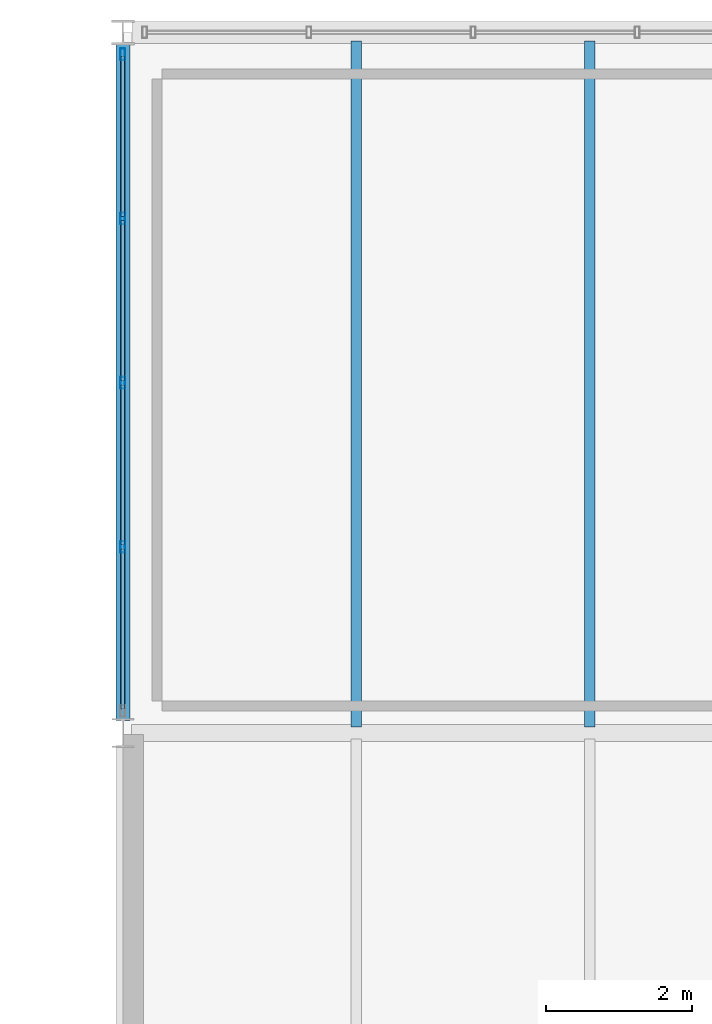
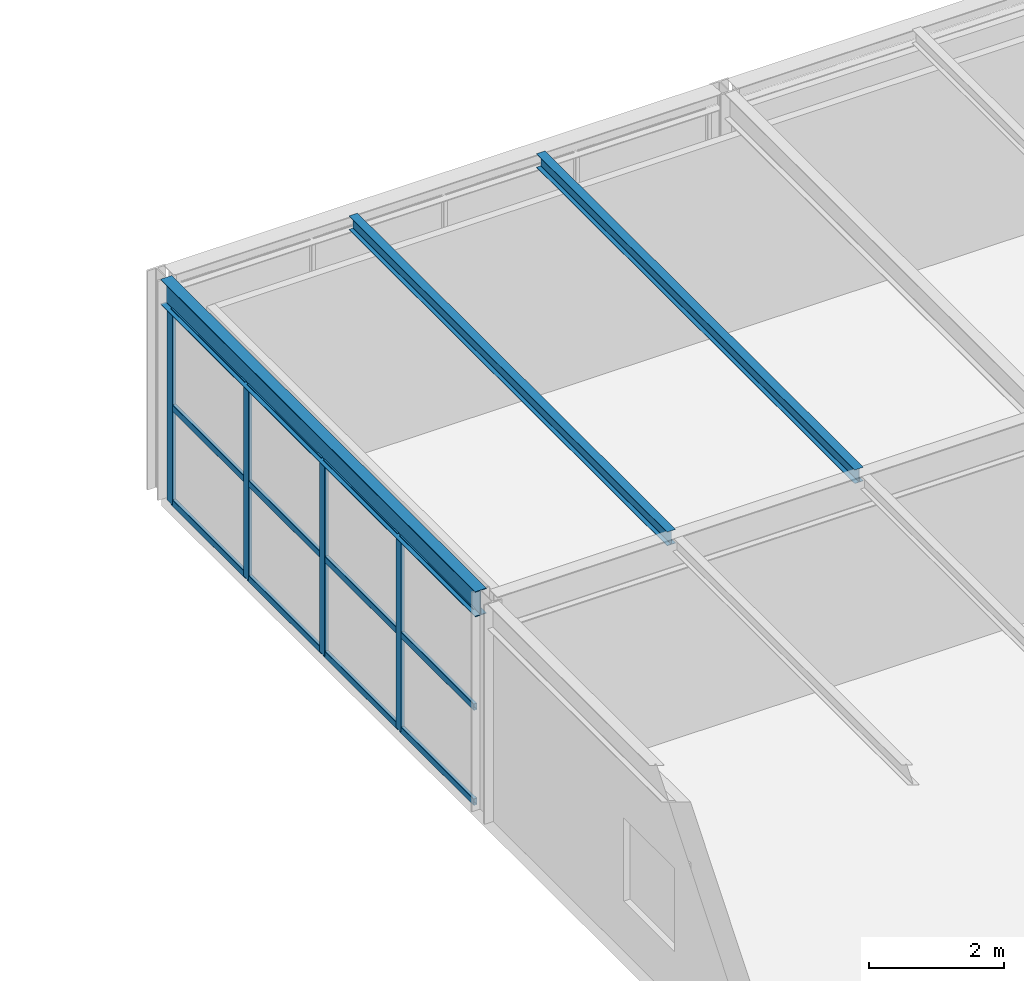
# One storey, part 72 of 126: 16 members, 3 beams, 1 element without a shape of its own.
"""IFC4 building model written with IfcOpenShell, lengths in metres."""

from ifc_helpers import new_model, si_unit, direction, frame, origin, origin_2d, place, context, subcontext, project, spatial, hollow_rectangle, i_section, extrude, material, material_profile, profile_set, type_object, element, aggregate, save


model = new_model("IFC4")

# Units and contexts
model_context = context("Model", 3, precision=1e-05, world=origin(), true_north=direction((0.0, 1.0)))
body_context = subcontext(model_context, "Body", "Model", "MODEL_VIEW")
ifc_project = project(units=[si_unit("LENGTHUNIT", "METRE"), si_unit("AREAUNIT", "SQUARE_METRE"), si_unit("VOLUMEUNIT", "CUBIC_METRE"), si_unit("PLANEANGLEUNIT", "RADIAN"), si_unit("MASSUNIT", "GRAM", prefix="KILO")], contexts=[model_context])

# Site, building, storey
site_placement = place(None, origin())
site = spatial("IfcSite", under=ifc_project, at=site_placement, CompositionType="ELEMENT")
building_placement = place(site_placement, origin())
building = spatial("IfcBuilding", under=site, at=building_placement, Name="Coralgate Yard Interchange", CompositionType="ELEMENT")
storey_placement = place(building_placement, frame((0.0, 0.0, 10.5)))
storey = spatial("IfcBuildingStorey", under=building, at=storey_placement, Name="L02", CompositionType="ELEMENT", Elevation=10.5)

# Beams
ifc_material_1 = material(Name="Structural steel S355J2", Category="steel")
ifc_material_profile_1 = material_profile(ifc_material_1, i_section(OverallWidth=0.1904296875, OverallDepth=0.45703125, WebThickness=0.009033203125, FlangeThickness=0.014404296875, FilletRadius=0.01025390625, at=origin_2d()), Name="UB 457x191x74")
ifc_profile_set_1 = profile_set([ifc_material_profile_1], Name="Structural steel S355J2")
beam_type_1 = type_object("IfcBeamType", Name="BM-SB-2", PredefinedType="BEAM", material=ifc_profile_set_1)
beam_placement = place(storey_placement, frame((38.39990234375, 86.570068359375, 3.721435546875), z_axis=(0.0, 1.0, 0.0), x_axis=(-1.0, 0.0, 0.0)))
element("IfcBeam", 1, at=beam_placement, inside=storey, type_object=beam_type_1, Name="L02 primary grid girder X4 Y9-10", PredefinedType="BEAM", context=body_context, shape_type="SweptSolid", body=[
    extrude(i_section(OverallWidth=0.1904296875, OverallDepth=0.45703125, WebThickness=0.009033203125, FlangeThickness=0.014404296875, FilletRadius=0.01025390625, at=origin_2d()), origin(), (0.0, 0.0, 1.0), 9.2900390625),
])
ifc_material_profile_2 = material_profile(ifc_material_1, i_section(OverallWidth=0.14599609375, OverallDepth=0.25146484375, WebThickness=0.006103515625, FlangeThickness=0.008544921875, FilletRadius=0.007568359375, at=origin_2d()), Name="UB 254x146x31")
ifc_profile_set_2 = profile_set([ifc_material_profile_2], Name="Structural steel S355J2")
beam_type_2 = type_object("IfcBeamType", Name="BM-SJ-2", PredefinedType="JOIST", material=ifc_profile_set_2)
for number, where, z_axis, x_axis, name in (
    (2, (41.60009765625, 86.484130859375, 3.82421875), (0.0, 1.0, 0.0), (-1.0, 0.0, 0.0), "L02 composite floor joist 4-9-1"),
    (3, (44.800048828125, 86.484130859375, 3.82421875), (0.0, 1.0, 0.0), (-1.0, 0.0, 0.0), "L02 composite floor joist 4-9-2"),
):
    element("IfcBeam", number, at=place(storey_placement, frame(where, z_axis=z_axis, x_axis=x_axis)), inside=storey, type_object=beam_type_2, Name=name, PredefinedType="JOIST", context=body_context, shape_type="SweptSolid", body=[
        extrude(i_section(OverallWidth=0.14599609375, OverallDepth=0.25146484375, WebThickness=0.006103515625, FlangeThickness=0.008544921875, FilletRadius=0.007568359375, at=origin_2d()), origin(), (0.0, 0.0, 1.0), 9.395751953125),
    ])

# Curtain wall, members
ifc_material_2 = material(Name="Anodised coastal aluminium and solar-control low-E glass", Category="aluminium")
curtain_wall_type = type_object("IfcCurtainWallType", Name="CW-CW-L02-A", PredefinedType="NOTDEFINED", material=ifc_material_2)
curtain_wall_placement = place(storey_placement, origin())
curtain_wall = element("IfcCurtainWall", 4, at=curtain_wall_placement, inside=storey, type_object=curtain_wall_type, Name="L02 unitised curtain wall CW-L02-W-04-09", PredefinedType="NOTDEFINED")
ifc_material_3 = material(Name="Anodised coastal aluminium 6063-T6", Category="aluminium")
ifc_material_profile_3 = material_profile(ifc_material_3, hollow_rectangle(XDim=0.06494140625, YDim=0.159912109375, WallThickness=0.00390625, InnerFilletRadius=0.00390625, OuterFilletRadius=0.008056640625, at=origin_2d()), Name="ALU 65x160x4")
ifc_profile_set_3 = profile_set([ifc_material_profile_3], Name="Anodised coastal aluminium 6063-T6")
member_type_1 = type_object("IfcMemberType", Name="MB-MUL-160", PredefinedType="MULLION", material=ifc_profile_set_3)
member_1_placement = place(storey_placement, frame((38.39990234375, 88.949951171875, 0.0), z_axis=(0.0, 0.0, 1.0), x_axis=(1.0, 0.0, 0.0)))
member_1 = element("IfcMember", 5, at=member_1_placement, type_object=member_type_1, Name="CW-L02-W-04-09 vertical mullion 2", PredefinedType="MULLION", context=body_context, shape_type="SweptSolid", body=[
    extrude(hollow_rectangle(XDim=0.06494140625, YDim=0.159912109375, WallThickness=0.00390625, InnerFilletRadius=0.00390625, OuterFilletRadius=0.008056640625, at=origin_2d()), origin(), (0.0, 0.0, 1.0), 3.492919921875),
])
member_2_placement = place(storey_placement, frame((38.39990234375, 91.199951171875, 0.0), z_axis=(0.0, 0.0, 1.0), x_axis=(1.0, 0.0, 0.0)))
member_2 = element("IfcMember", 6, at=member_2_placement, type_object=member_type_1, Name="CW-L02-W-04-09 vertical mullion 3", PredefinedType="MULLION", context=body_context, shape_type="SweptSolid", body=[
    extrude(hollow_rectangle(XDim=0.06494140625, YDim=0.159912109375, WallThickness=0.00390625, InnerFilletRadius=0.00390625, OuterFilletRadius=0.008056640625, at=origin_2d()), origin(), (0.0, 0.0, 1.0), 3.492919921875),
])
member_3_placement = place(storey_placement, frame((38.39990234375, 93.449951171875, 0.0), z_axis=(0.0, 0.0, 1.0), x_axis=(1.0, 0.0, 0.0)))
member_3 = element("IfcMember", 7, at=member_3_placement, type_object=member_type_1, Name="CW-L02-W-04-09 vertical mullion 4", PredefinedType="MULLION", context=body_context, shape_type="SweptSolid", body=[
    extrude(hollow_rectangle(XDim=0.06494140625, YDim=0.159912109375, WallThickness=0.00390625, InnerFilletRadius=0.00390625, OuterFilletRadius=0.008056640625, at=origin_2d()), origin(), (0.0, 0.0, 1.0), 3.492919921875),
])
member_4_placement = place(storey_placement, frame((38.39990234375, 95.699951171875, 0.0), z_axis=(0.0, 0.0, 1.0), x_axis=(1.0, 0.0, 0.0)))
member_4 = element("IfcMember", 8, at=member_4_placement, type_object=member_type_1, Name="CW-L02-W-04-09 vertical mullion 5", PredefinedType="MULLION", context=body_context, shape_type="SweptSolid", body=[
    extrude(hollow_rectangle(XDim=0.06494140625, YDim=0.159912109375, WallThickness=0.00390625, InnerFilletRadius=0.00390625, OuterFilletRadius=0.008056640625, at=origin_2d()), origin(), (0.0, 0.0, 1.0), 3.492919921875),
])
ifc_material_profile_4 = material_profile(ifc_material_3, hollow_rectangle(XDim=0.06005859375, YDim=0.1201171875, WallThickness=0.00341796875, InnerFilletRadius=0.00341796875, OuterFilletRadius=0.007080078125, at=origin_2d()), Name="ALU 60x120x3.5")
ifc_profile_set_4 = profile_set([ifc_material_profile_4], Name="Anodised coastal aluminium 6063-T6")
member_type_2 = type_object("IfcMemberType", Name="MB-TRN-120", PredefinedType="USERDEFINED", material=ifc_profile_set_4)
member_5_placement = place(storey_placement, frame((38.39990234375, 86.72998046875, 0.034912109375), z_axis=(0.0, 1.0, 0.0), x_axis=(-1.0, 0.0, 0.0)))
member_5 = element("IfcMember", 9, at=member_5_placement, type_object=member_type_2, Name="CW-L02-W-04-09 horizontal transom 1-1", ObjectType="TRANSOM", PredefinedType="USERDEFINED", context=body_context, shape_type="SweptSolid", body=[
    extrude(hollow_rectangle(XDim=0.06005859375, YDim=0.1201171875, WallThickness=0.00341796875, InnerFilletRadius=0.00341796875, OuterFilletRadius=0.007080078125, at=origin_2d()), origin(), (0.0, 0.0, 1.0), 2.18994140625),
])
member_6_placement = place(storey_placement, frame((38.39990234375, 86.72998046875, 1.74658203125), z_axis=(0.0, 1.0, 0.0), x_axis=(-1.0, 0.0, 0.0)))
member_6 = element("IfcMember", 10, at=member_6_placement, type_object=member_type_2, Name="CW-L02-W-04-09 horizontal transom 1-2", ObjectType="TRANSOM", PredefinedType="USERDEFINED", context=body_context, shape_type="SweptSolid", body=[
    extrude(hollow_rectangle(XDim=0.06005859375, YDim=0.1201171875, WallThickness=0.00341796875, InnerFilletRadius=0.00341796875, OuterFilletRadius=0.007080078125, at=origin_2d()), origin(), (0.0, 0.0, 1.0), 2.18994140625),
])
member_7_placement = place(storey_placement, frame((38.39990234375, 86.72998046875, 3.4580078125), z_axis=(0.0, 1.0, 0.0), x_axis=(-1.0, 0.0, 0.0)))
member_7 = element("IfcMember", 11, at=member_7_placement, type_object=member_type_2, Name="CW-L02-W-04-09 horizontal transom 1-3", ObjectType="TRANSOM", PredefinedType="USERDEFINED", context=body_context, shape_type="SweptSolid", body=[
    extrude(hollow_rectangle(XDim=0.06005859375, YDim=0.1201171875, WallThickness=0.00341796875, InnerFilletRadius=0.00341796875, OuterFilletRadius=0.007080078125, at=origin_2d()), origin(), (0.0, 0.0, 1.0), 2.18994140625),
])
member_8_placement = place(storey_placement, frame((38.39990234375, 88.97998046875, 0.034912109375), z_axis=(0.0, 1.0, 0.0), x_axis=(-1.0, 0.0, 0.0)))
member_8 = element("IfcMember", 12, at=member_8_placement, type_object=member_type_2, Name="CW-L02-W-04-09 horizontal transom 2-1", ObjectType="TRANSOM", PredefinedType="USERDEFINED", context=body_context, shape_type="SweptSolid", body=[
    extrude(hollow_rectangle(XDim=0.06005859375, YDim=0.1201171875, WallThickness=0.00341796875, InnerFilletRadius=0.00341796875, OuterFilletRadius=0.007080078125, at=origin_2d()), origin(), (0.0, 0.0, 1.0), 2.18994140625),
])
member_9_placement = place(storey_placement, frame((38.39990234375, 88.97998046875, 1.74658203125), z_axis=(0.0, 1.0, 0.0), x_axis=(-1.0, 0.0, 0.0)))
member_9 = element("IfcMember", 13, at=member_9_placement, type_object=member_type_2, Name="CW-L02-W-04-09 horizontal transom 2-2", ObjectType="TRANSOM", PredefinedType="USERDEFINED", context=body_context, shape_type="SweptSolid", body=[
    extrude(hollow_rectangle(XDim=0.06005859375, YDim=0.1201171875, WallThickness=0.00341796875, InnerFilletRadius=0.00341796875, OuterFilletRadius=0.007080078125, at=origin_2d()), origin(), (0.0, 0.0, 1.0), 2.18994140625),
])
member_10_placement = place(storey_placement, frame((38.39990234375, 88.97998046875, 3.4580078125), z_axis=(0.0, 1.0, 0.0), x_axis=(-1.0, 0.0, 0.0)))
member_10 = element("IfcMember", 14, at=member_10_placement, type_object=member_type_2, Name="CW-L02-W-04-09 horizontal transom 2-3", ObjectType="TRANSOM", PredefinedType="USERDEFINED", context=body_context, shape_type="SweptSolid", body=[
    extrude(hollow_rectangle(XDim=0.06005859375, YDim=0.1201171875, WallThickness=0.00341796875, InnerFilletRadius=0.00341796875, OuterFilletRadius=0.007080078125, at=origin_2d()), origin(), (0.0, 0.0, 1.0), 2.18994140625),
])
member_11_placement = place(storey_placement, frame((38.39990234375, 91.22998046875, 0.034912109375), z_axis=(0.0, 1.0, 0.0), x_axis=(-1.0, 0.0, 0.0)))
member_11 = element("IfcMember", 15, at=member_11_placement, type_object=member_type_2, Name="CW-L02-W-04-09 horizontal transom 3-1", ObjectType="TRANSOM", PredefinedType="USERDEFINED", context=body_context, shape_type="SweptSolid", body=[
    extrude(hollow_rectangle(XDim=0.06005859375, YDim=0.1201171875, WallThickness=0.00341796875, InnerFilletRadius=0.00341796875, OuterFilletRadius=0.007080078125, at=origin_2d()), origin(), (0.0, 0.0, 1.0), 2.18994140625),
])
member_12_placement = place(storey_placement, frame((38.39990234375, 91.22998046875, 1.74658203125), z_axis=(0.0, 1.0, 0.0), x_axis=(-1.0, 0.0, 0.0)))
member_12 = element("IfcMember", 16, at=member_12_placement, type_object=member_type_2, Name="CW-L02-W-04-09 horizontal transom 3-2", ObjectType="TRANSOM", PredefinedType="USERDEFINED", context=body_context, shape_type="SweptSolid", body=[
    extrude(hollow_rectangle(XDim=0.06005859375, YDim=0.1201171875, WallThickness=0.00341796875, InnerFilletRadius=0.00341796875, OuterFilletRadius=0.007080078125, at=origin_2d()), origin(), (0.0, 0.0, 1.0), 2.18994140625),
])
member_13_placement = place(storey_placement, frame((38.39990234375, 91.22998046875, 3.4580078125), z_axis=(0.0, 1.0, 0.0), x_axis=(-1.0, 0.0, 0.0)))
member_13 = element("IfcMember", 17, at=member_13_placement, type_object=member_type_2, Name="CW-L02-W-04-09 horizontal transom 3-3", ObjectType="TRANSOM", PredefinedType="USERDEFINED", context=body_context, shape_type="SweptSolid", body=[
    extrude(hollow_rectangle(XDim=0.06005859375, YDim=0.1201171875, WallThickness=0.00341796875, InnerFilletRadius=0.00341796875, OuterFilletRadius=0.007080078125, at=origin_2d()), origin(), (0.0, 0.0, 1.0), 2.18994140625),
])
member_14_placement = place(storey_placement, frame((38.39990234375, 93.47998046875, 0.034912109375), z_axis=(0.0, 1.0, 0.0), x_axis=(-1.0, 0.0, 0.0)))
member_14 = element("IfcMember", 18, at=member_14_placement, type_object=member_type_2, Name="CW-L02-W-04-09 horizontal transom 4-1", ObjectType="TRANSOM", PredefinedType="USERDEFINED", context=body_context, shape_type="SweptSolid", body=[
    extrude(hollow_rectangle(XDim=0.06005859375, YDim=0.1201171875, WallThickness=0.00341796875, InnerFilletRadius=0.00341796875, OuterFilletRadius=0.007080078125, at=origin_2d()), origin(), (0.0, 0.0, 1.0), 2.18994140625),
])
member_15_placement = place(storey_placement, frame((38.39990234375, 93.47998046875, 1.74658203125), z_axis=(0.0, 1.0, 0.0), x_axis=(-1.0, 0.0, 0.0)))
member_15 = element("IfcMember", 19, at=member_15_placement, type_object=member_type_2, Name="CW-L02-W-04-09 horizontal transom 4-2", ObjectType="TRANSOM", PredefinedType="USERDEFINED", context=body_context, shape_type="SweptSolid", body=[
    extrude(hollow_rectangle(XDim=0.06005859375, YDim=0.1201171875, WallThickness=0.00341796875, InnerFilletRadius=0.00341796875, OuterFilletRadius=0.007080078125, at=origin_2d()), origin(), (0.0, 0.0, 1.0), 2.18994140625),
])
member_16_placement = place(storey_placement, frame((38.39990234375, 93.47998046875, 3.4580078125), z_axis=(0.0, 1.0, 0.0), x_axis=(-1.0, 0.0, 0.0)))
member_16 = element("IfcMember", 20, at=member_16_placement, type_object=member_type_2, Name="CW-L02-W-04-09 horizontal transom 4-3", ObjectType="TRANSOM", PredefinedType="USERDEFINED", context=body_context, shape_type="SweptSolid", body=[
    extrude(hollow_rectangle(XDim=0.06005859375, YDim=0.1201171875, WallThickness=0.00341796875, InnerFilletRadius=0.00341796875, OuterFilletRadius=0.007080078125, at=origin_2d()), origin(), (0.0, 0.0, 1.0), 2.18994140625),
])
aggregate(curtain_wall, [member_1, member_2, member_3, member_4, member_5, member_6, member_7, member_8, member_9, member_10, member_11, member_12, member_13, member_14, member_15, member_16])

save(model, "model.ifc")
